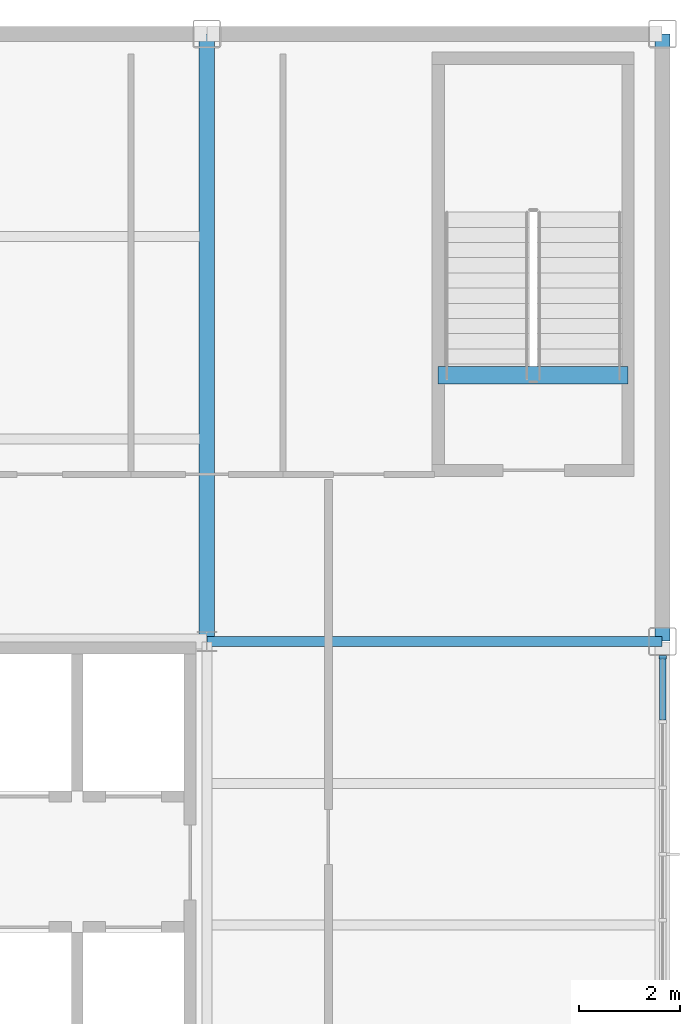
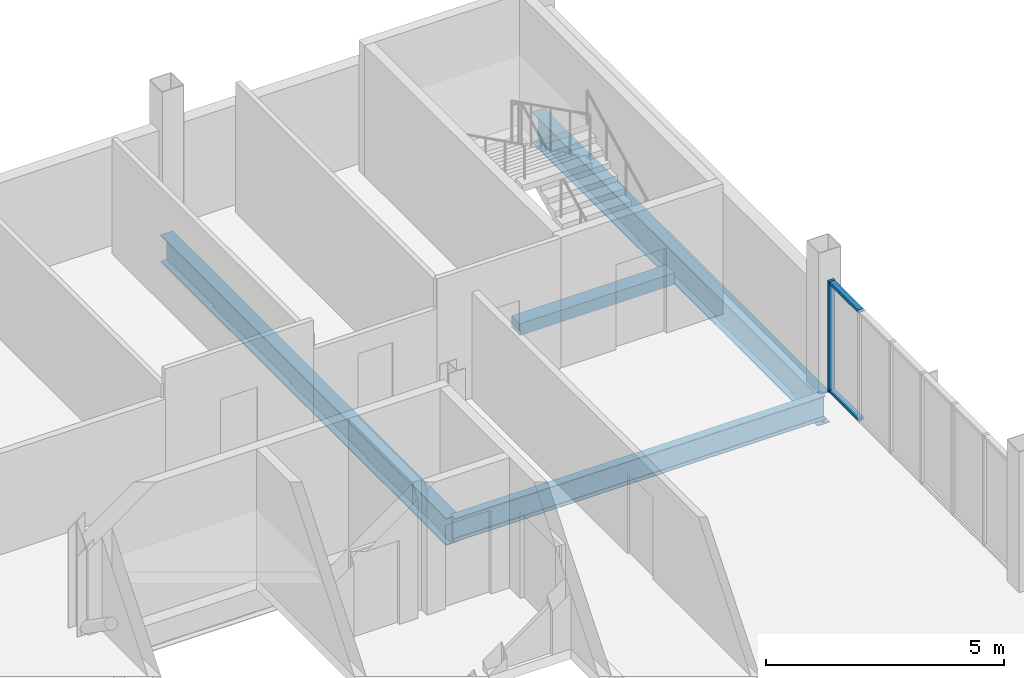
# One storey, part 9 of 18: 4 beams, 3 members, 1 element without a shape of its own.
"""IFC4 building model written with IfcOpenShell, lengths in metres."""

import ifcopenshell
import ifcopenshell.guid

model = None  # the IFC model being written
_history = None  # IfcOwnerHistory: only IFC2X3 demands one
_inside = {}  # id of a spatial element -> (the spatial element, [elements in it])
_under = {}  # id of a project, library or spatial element -> (it, [spatial elements below it])
_declared = {}  # id of a project -> (the project, [libraries it declares])
_typed = {}  # id of a type object -> (the type object, [elements of that type])
_made_of = {}  # id of a material, layer set ... -> (it, [elements and type objects made of it])


def new_model(schema):
    """Start an empty IFC model of exactly this schema.

    Asked for "IFC4X3", IfcOpenShell would pick the latest addendum, in which some entities
    have other attributes; the version numbers below select the first issue.
    IFC2X3 requires an IfcOwnerHistory on every rooted entity: one is made here for all.
    """
    global model, _history
    if schema == "IFC4X3":
        model = ifcopenshell.file(schema_version=(4, 3, 0, 0))
    else:
        model = ifcopenshell.file(schema=schema)
    _inside.clear()
    _under.clear()
    _declared.clear()
    _typed.clear()
    _made_of.clear()
    _history = None
    if model.schema == "IFC2X3":
        org = make("IfcOrganization", Name="unknown")
        user = make(
            "IfcPersonAndOrganization",
            ThePerson=make("IfcPerson", FamilyName="unknown"),
            TheOrganization=org,
        )
        app = make(
            "IfcApplication",
            ApplicationDeveloper=org,
            Version="unknown",
            ApplicationFullName="unknown",
            ApplicationIdentifier="unknown",
        )
        _history = make(
            "IfcOwnerHistory",
            OwningUser=user,
            OwningApplication=app,
            ChangeAction="ADDED",
            CreationDate=0,
        )
    return model


def make(cls, **values):
    """One entity of the class cls with the attributes given. An attribute that is None is left unset."""
    return model.create_entity(
        cls, **{name: value for name, value in values.items() if value is not None}
    )


def rooted(cls, **values):
    """An entity with a GlobalId (a new one), such as an element, a storey or a relation."""
    return make(cls, GlobalId=ifcopenshell.guid.new(), OwnerHistory=_history, **values)


def si_unit(unit_type, name, prefix=None):
    """IfcSIUnit, for example si_unit("LENGTHUNIT", "METRE", prefix="MILLI")."""
    return make("IfcSIUnit", UnitType=unit_type, Prefix=prefix, Name=name)


def assignment(units):
    """IfcUnitAssignment: the units of a project."""
    return None if units is None else make("IfcUnitAssignment", Units=units)


def point(xyz):
    """IfcCartesianPoint."""
    return None if xyz is None else make("IfcCartesianPoint", Coordinates=xyz)


def direction(xyz):
    """IfcDirection."""
    return None if xyz is None else make("IfcDirection", DirectionRatios=xyz)


def frame(location, z_axis=None, x_axis=None):
    """IfcAxis2Placement3D, a coordinate frame: its origin and axes. An axis left out is left unset."""
    return make(
        "IfcAxis2Placement3D",
        Location=point(location),
        Axis=direction(z_axis),
        RefDirection=direction(x_axis),
    )


def frame_2d(location, x_axis=None):
    """IfcAxis2Placement2D, a coordinate frame in the plane: its origin and x axis."""
    return make(
        "IfcAxis2Placement2D", Location=point(location), RefDirection=direction(x_axis)
    )


def origin():
    """The frame at (0, 0, 0) with its axes left unset."""
    return frame((0.0, 0.0, 0.0))


def origin_2d():
    """The frame at (0, 0) in the plane with its x axis left unset."""
    return frame_2d((0.0, 0.0))


def place(relative_to, where):
    """IfcLocalPlacement: puts the frame where relative to a parent placement (None: the world)."""
    return make(
        "IfcLocalPlacement", PlacementRelTo=relative_to, RelativePlacement=where
    )


def context(
    kind, dimensions, precision=None, world=None, true_north=None, identifier=None
):
    """IfcGeometricRepresentationContext, for example the 3D "Model" context."""
    return make(
        "IfcGeometricRepresentationContext",
        ContextIdentifier=identifier,
        ContextType=kind,
        CoordinateSpaceDimension=dimensions,
        Precision=precision,
        WorldCoordinateSystem=world,
        TrueNorth=true_north,
    )


def subcontext(parent, identifier, kind, view, scale=None):
    """IfcGeometricRepresentationSubContext, for example "Body" below "Model"."""
    return make(
        "IfcGeometricRepresentationSubContext",
        ContextIdentifier=identifier,
        ContextType=kind,
        ParentContext=parent,
        TargetScale=scale,
        TargetView=view,
    )


def project(units=None, contexts=None):
    """IfcProject with its units and contexts."""
    return rooted(
        "IfcProject",
        Name="project",
        RepresentationContexts=contexts,
        UnitsInContext=assignment(units),
    )


def spatial(cls, under=None, at=None, **own):
    """A site, building, storey or space (cls), placed at a placement, below another one or the project."""
    s = rooted(cls, ObjectPlacement=at, **own)
    if under is not None:
        _under.setdefault(under.id(), (under, []))[1].append(s)
    return s


def profile(cls, at=None, kind="AREA", **sizes):
    """A parametric profile (cls). Its sizes go by their IFC names, for example OverallWidth=200.0."""
    return make(cls, ProfileType=kind, Position=at, **sizes)


def rectangle(**sizes):
    """IfcRectangleProfileDef."""
    return profile("IfcRectangleProfileDef", **sizes)


def i_section(**sizes):
    """IfcIShapeProfileDef."""
    return profile("IfcIShapeProfileDef", **sizes)


def extrude(swept, where, along, depth):
    """IfcExtrudedAreaSolid: the profile swept, set in the frame where, extruded along a direction by depth."""
    return make(
        "IfcExtrudedAreaSolid",
        SweptArea=swept,
        Position=where,
        ExtrudedDirection=direction(along),
        Depth=depth,
    )


def shape(context_of_items, identifier, shape_type, items):
    """IfcShapeRepresentation: the items that make up one representation, for example the "Body"."""
    return make(
        "IfcShapeRepresentation",
        ContextOfItems=context_of_items,
        RepresentationIdentifier=identifier,
        RepresentationType=shape_type,
        Items=items,
    )


def material(Name=None, Category=None):
    """IfcMaterial."""
    return make("IfcMaterial", Name=Name, Category=Category)


def layer(
    of_material, thickness, ventilated=None, Name=None, Category=None, Priority=None
):
    """IfcMaterialLayer: one layer of a wall or slab, of a material (None: an air gap)."""
    return make(
        "IfcMaterialLayer",
        Material=of_material,
        LayerThickness=thickness,
        IsVentilated=ventilated,
        Name=Name,
        Category=Category,
        Priority=Priority,
    )


def layer_set(layers, Name=None):
    """IfcMaterialLayerSet."""
    return make("IfcMaterialLayerSet", MaterialLayers=layers, LayerSetName=Name)


def material_profile(
    of_material, cross_section, Name=None, Category=None, Priority=None
):
    """IfcMaterialProfile: a cross section and its material."""
    return make(
        "IfcMaterialProfile",
        Name=Name,
        Material=of_material,
        Profile=cross_section,
        Priority=Priority,
        Category=Category,
    )


def profile_set(profiles, Name=None, composite=None):
    """IfcMaterialProfileSet."""
    return make(
        "IfcMaterialProfileSet",
        Name=Name,
        MaterialProfiles=profiles,
        CompositeProfile=composite,
    )


def made_of(thing, what):
    """Note that an element or type object is made of a material, layer set ...; save() writes the relation."""
    if what is not None:
        _made_of.setdefault(what.id(), (what, []))[1].append(thing)
    return thing


def type_object(cls, material=None, **own):
    """A type object (cls), such as IfcWallType, which elements share."""
    return made_of(rooted(cls, **own), material)


def element(
    cls,
    number,
    at=None,
    inside=None,
    cuts=None,
    type_object=None,
    material=None,
    context=None,
    identifier="Body",
    shape_type=None,
    held_by="IfcProductDefinitionShape",
    body=None,
    shapes=None,
    **own,
):
    """One element of the class cls, such as IfcWall. Its Tag is "e" and its number.

    at: its placement. inside: the storey or other place that contains it. cuts: it is an
    opening in that element (IfcRelVoidsElement). A single representation is given by context,
    identifier, shape_type and body (its items); several are given by shapes. held_by: the class
    of the entity that holds the representations. save() writes the other relations.
    """
    e = rooted(cls, Tag="e%d" % number, ObjectPlacement=at, **own)
    if body is not None:
        shapes = [shape(context, identifier, shape_type, body)]
    if shapes is not None:
        e.Representation = make(held_by, Representations=shapes)
    if inside is not None:
        _inside.setdefault(inside.id(), (inside, []))[1].append(e)
    if cuts is not None:
        rooted(
            "IfcRelVoidsElement", RelatingBuildingElement=cuts, RelatedOpeningElement=e
        )
    if type_object is not None:
        _typed.setdefault(type_object.id(), (type_object, []))[1].append(e)
    return made_of(e, material)


def aggregate(whole, parts):
    """IfcRelAggregates: a whole, such as a stair, and the parts it consists of."""
    return rooted("IfcRelAggregates", RelatingObject=whole, RelatedObjects=parts)


def save(model, path):
    """Write the relations noted so far, then the file.

    IfcRelAggregates (storeys below a building ...), IfcRelContainedInSpatialStructure (elements
    in a storey), IfcRelDefinesByType, IfcRelAssociatesMaterial and IfcRelDeclares: one each for
    every whole, place, type object, material and project.
    """
    for whole, parts in _under.values():
        aggregate(whole, parts)
    for where, things in _inside.values():
        rooted(
            "IfcRelContainedInSpatialStructure",
            RelatedElements=things,
            RelatingStructure=where,
        )
    for kind, things in _typed.values():
        rooted("IfcRelDefinesByType", RelatedObjects=things, RelatingType=kind)
    for what, things in _made_of.values():
        rooted("IfcRelAssociatesMaterial", RelatedObjects=things, RelatingMaterial=what)
    for by, libraries in _declared.values():
        rooted("IfcRelDeclares", RelatingContext=by, RelatedDefinitions=libraries)
    model.write(path)


model = new_model("IFC4")

# Units and contexts
model_context = context("Model", 3, precision=1e-05, world=origin(), true_north=direction((0.0, 1.0)))
body_context = subcontext(model_context, "Body", "Model", "MODEL_VIEW")
ifc_project = project(units=[si_unit("LENGTHUNIT", "METRE"), si_unit("AREAUNIT", "SQUARE_METRE"), si_unit("VOLUMEUNIT", "CUBIC_METRE"), si_unit("PLANEANGLEUNIT", "RADIAN"), si_unit("MASSUNIT", "GRAM", prefix="KILO")], contexts=[model_context])

# Site, building, storey
site_placement = place(None, origin())
site = spatial("IfcSite", under=ifc_project, at=site_placement, CompositionType="ELEMENT")
building_placement = place(site_placement, origin())
building = spatial("IfcBuilding", under=site, at=building_placement, Name="Yukiwa Park Conservatory and Herbarium", CompositionType="ELEMENT")
storey_placement = place(building_placement, frame((0.0, 0.0, 24.60009765625)))
storey = spatial("IfcBuildingStorey", under=building, at=storey_placement, Name="L06", CompositionType="ELEMENT", Elevation=24.60009765625)

# Beams
ifc_material_1 = material(Name="Steel Q355D", Category="steel")
ifc_material_profile_1 = material_profile(ifc_material_1, i_section(OverallWidth=0.199951171875, OverallDepth=0.60009765625, WebThickness=0.010986328125, FlangeThickness=0.01708984375, FilletRadius=0.02197265625, at=origin_2d()), Name="HN 600x200x11x17")
ifc_profile_set_1 = profile_set([ifc_material_profile_1], Name="Steel Q355D")
beam_type_1 = type_object("IfcBeamType", Name="BM-GRD-HN600", PredefinedType="BEAM", material=ifc_profile_set_1)
beam_1_placement = place(storey_placement, frame((159.006103515625, 103.199951171875, -0.550048828125), z_axis=(1.0, 0.0, 0.0), x_axis=(0.0, 1.0, 0.0)))
element("IfcBeam", 1, at=beam_1_placement, inside=storey, type_object=beam_type_1, Name="L06 grid beam X-23", PredefinedType="BEAM", context=body_context, shape_type="SweptSolid", body=[
    extrude(i_section(OverallWidth=0.199951171875, OverallDepth=0.60009765625, WebThickness=0.010986328125, FlangeThickness=0.01708984375, FilletRadius=0.02197265625, at=origin_2d()), origin(), (0.0, 0.0, 1.0), 8.98779296875),
])
ifc_material_2 = material(Name="Steel Q355D", Category="steel")
ifc_material_profile_2 = material_profile(ifc_material_2, i_section(OverallWidth=0.300048828125, OverallDepth=0.699951171875, WebThickness=0.012939453125, FlangeThickness=0.02392578125, FilletRadius=0.028076171875, at=origin_2d()), Name="HN 700x300x13x24")
ifc_profile_set_2 = profile_set([ifc_material_profile_2], Name="Steel Q355D")
beam_type_2 = type_object("IfcBeamType", Name="BM-GRD-HN700", PredefinedType="BEAM", material=ifc_profile_set_2)
beam_2_placement = place(storey_placement, frame((159.0, 103.2060546875, -0.60009765625), z_axis=(0.0, 1.0, 0.0), x_axis=(-1.0, 0.0, 0.0)))
element("IfcBeam", 2, at=beam_2_placement, inside=storey, type_object=beam_type_2, Name="L06 grid girder Y-49", PredefinedType="BEAM", context=body_context, shape_type="SweptSolid", body=[
    extrude(i_section(OverallWidth=0.300048828125, OverallDepth=0.699951171875, WebThickness=0.012939453125, FlangeThickness=0.02392578125, FilletRadius=0.028076171875, at=origin_2d()), origin(), (0.0, 0.0, 1.0), 11.988037109375),
])
ifc_material_3 = material(Name="Steel Q355D", Category="steel")
ifc_material_profile_3 = material_profile(ifc_material_3, i_section(OverallWidth=0.300048828125, OverallDepth=0.7919921875, WebThickness=0.013916015625, FlangeThickness=0.02197265625, FilletRadius=0.028076171875, at=origin_2d()), Name="HN 792x300x14x22")
ifc_profile_set_3 = profile_set([ifc_material_profile_3], Name="Steel Q355D")
beam_type_3 = type_object("IfcBeamType", Name="BM-SPN-HN600", PredefinedType="SPANDREL", material=ifc_profile_set_3)
beam_3_placement = place(storey_placement, frame((168.0, 103.2060546875, -0.64599609375), z_axis=(0.0, 1.0, 0.0), x_axis=(-1.0, 0.0, 0.0)))
element("IfcBeam", 3, at=beam_3_placement, inside=storey, type_object=beam_type_3, Name="L06 spandrel girder Y-53", PredefinedType="SPANDREL", context=body_context, shape_type="SweptSolid", body=[
    extrude(i_section(OverallWidth=0.300048828125, OverallDepth=0.7919921875, WebThickness=0.013916015625, FlangeThickness=0.02197265625, FilletRadius=0.028076171875, at=origin_2d()), origin(), (0.0, 0.0, 1.0), 11.988037109375),
])
ifc_material_4 = material(Name="Concrete C40", Category="concrete")
ifc_material_profile_4 = material_profile(ifc_material_4, rectangle(XDim=0.35009765625, YDim=0.300048828125, at=origin_2d()), Name="RC 350x300")
ifc_profile_set_4 = profile_set([ifc_material_profile_4], Name="Concrete C40")
beam_type_4 = type_object("IfcBeamType", Name="BM-STAIR-TRIM", PredefinedType="BEAM", material=ifc_profile_set_4)
beam_4_placement = place(storey_placement, frame((163.570068359375, 108.4599609375, -0.150146484375), z_axis=(1.0, 0.0, 0.0), x_axis=(0.0, 1.0, 0.0)))
element("IfcBeam", 4, at=beam_4_placement, inside=storey, type_object=beam_type_4, Name="Stair ST-T3 L06 landing trimmer beam", PredefinedType="BEAM", context=body_context, shape_type="SweptSolid", body=[
    extrude(rectangle(XDim=0.35009765625, YDim=0.300048828125, at=origin_2d()), origin(), (0.0, 0.0, 1.0), 3.75),
])

# Curtain wall, members
ifc_material_5 = material(Name="Triple Low-E Insulated Glass", Category="glass")
ifc_layer = layer(ifc_material_5, 0.22412109375)
ifc_layer_set = layer_set([ifc_layer], Name="Triple Low-E Insulated Glass")
curtain_wall_type = type_object("IfcCurtainWallType", Name="CW-TOWER-CORNER-1400", PredefinedType="NOTDEFINED", material=ifc_layer_set)
curtain_wall_placement = place(storey_placement, origin())
curtain_wall = element("IfcCurtainWall", 5, at=curtain_wall_placement, inside=storey, type_object=curtain_wall_type, Name="L06 unitised curtain wall CW-L06-087", PredefinedType="NOTDEFINED")
ifc_material_6 = material(Name="Anodised Aluminium", Category="aluminium")
member_type_1 = type_object("IfcMemberType", Name="MB-CW-MUL-70X150", PredefinedType="MULLION", material=ifc_material_6)
member_1_placement = place(storey_placement, frame((168.0, 102.889892578125, 0.0), z_axis=(0.0, 0.0, 1.0), x_axis=(0.0, 1.0, 0.0)))
member_1 = element("IfcMember", 6, at=member_1_placement, type_object=member_type_1, Name="CW-L06-087 mullion 7", PredefinedType="MULLION", context=body_context, shape_type="SweptSolid", body=[
    extrude(rectangle(XDim=0.070068359375, YDim=0.14990234375, at=origin_2d()), origin(), (0.0, 0.0, 1.0), 2.844970703125),
])
ifc_material_7 = material(Name="Anodised Aluminium", Category="aluminium")
member_type_2 = type_object("IfcMemberType", Name="MB-CW-TRN-70X130", PredefinedType="USERDEFINED", material=ifc_material_7)
member_2_placement = place(storey_placement, frame((168.0, 102.270751953125, 0.0), z_axis=(0.0, 0.0, 1.0), x_axis=(0.0, 1.0, 0.0)))
member_2 = element("IfcMember", 7, at=member_2_placement, type_object=member_type_2, Name="CW-L06-087 transom 6.1", ObjectType="TRANSOM", PredefinedType="USERDEFINED", context=body_context, shape_type="SweptSolid", body=[
    extrude(rectangle(XDim=1.23828125, YDim=0.1298828125, at=origin_2d()), origin(), (0.0, 0.0, 1.0), 0.070068359375),
])
member_3_placement = place(storey_placement, frame((168.0, 102.270751953125, 2.77490234375), z_axis=(0.0, 0.0, 1.0), x_axis=(0.0, 1.0, 0.0)))
member_3 = element("IfcMember", 8, at=member_3_placement, type_object=member_type_2, Name="CW-L06-087 transom 6.2", ObjectType="TRANSOM", PredefinedType="USERDEFINED", context=body_context, shape_type="SweptSolid", body=[
    extrude(rectangle(XDim=1.23828125, YDim=0.1298828125, at=origin_2d()), origin(), (0.0, 0.0, 1.0), 0.070068359375),
])
aggregate(curtain_wall, [member_1, member_2, member_3])

save(model, "model.ifc")
